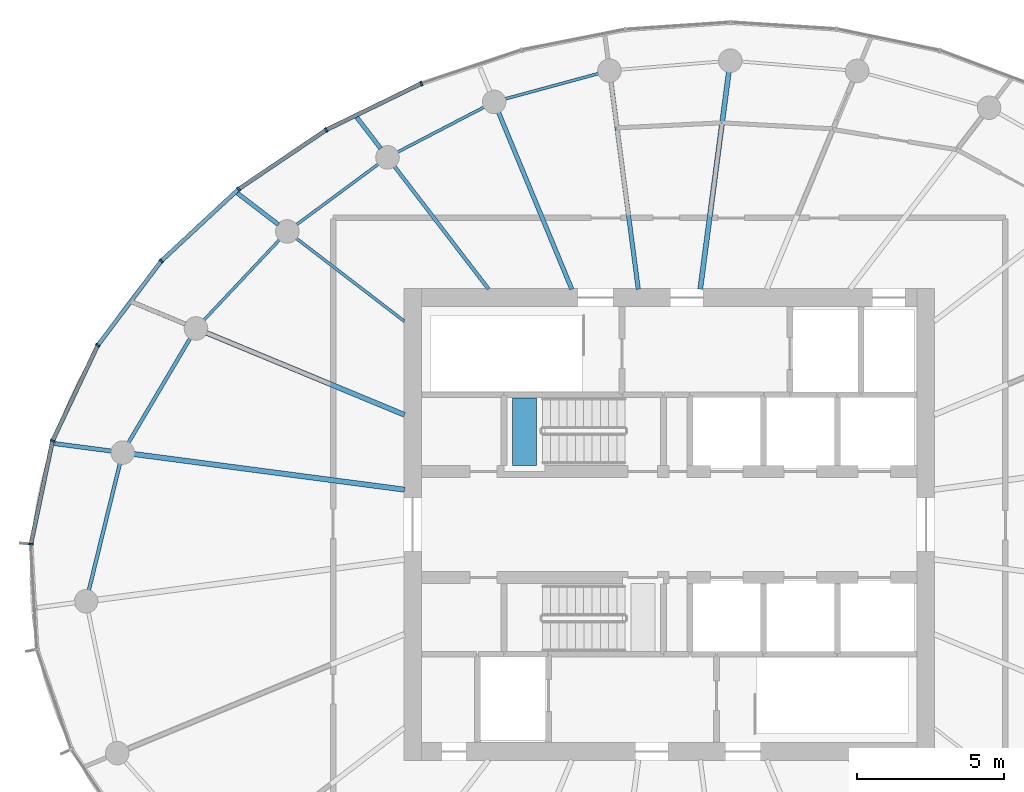
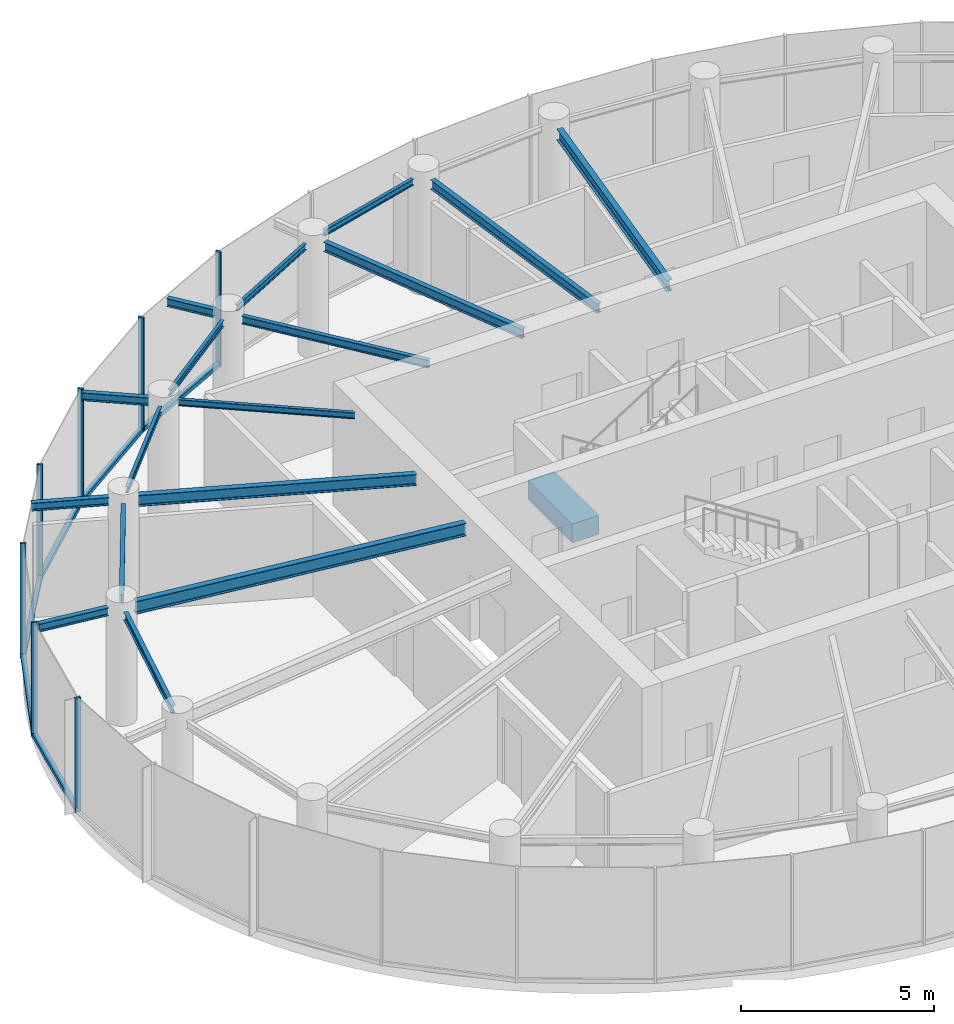
# One storey, part 4 of 13: 18 beams, 13 members, 2 elements without a shape of their own.
"""IFC4 building model written with IfcOpenShell, lengths in metres."""

from ifc_helpers import new_model, si_unit, direction, frame, origin, origin_2d, place, context, subcontext, project, spatial, rectangle, i_section, extrude, source, transform, mapped, material, layer, layer_set, material_profile, profile_set, type_object, element, aggregate, save


model = new_model("IFC4")

# Units and contexts
model_context = context("Model", 3, precision=1e-05, world=origin(), true_north=direction((0.0, 1.0)))
body_context = subcontext(model_context, "Body", "Model", "MODEL_VIEW")
ifc_project = project(units=[si_unit("LENGTHUNIT", "METRE"), si_unit("AREAUNIT", "SQUARE_METRE"), si_unit("VOLUMEUNIT", "CUBIC_METRE"), si_unit("PLANEANGLEUNIT", "RADIAN"), si_unit("MASSUNIT", "GRAM", prefix="KILO")], contexts=[model_context])

# Site, building, storey
site_placement = place(None, origin())
site = spatial("IfcSite", under=ifc_project, at=site_placement, CompositionType="ELEMENT")
building_placement = place(site_placement, origin())
building = spatial("IfcBuilding", under=site, at=building_placement, Name="Spindrift Exchange Tower", CompositionType="ELEMENT")
storey_placement = place(building_placement, frame((0.0, 0.0, 265.699951171875)))
storey = spatial("IfcBuildingStorey", under=building, at=storey_placement, Name="L65", CompositionType="ELEMENT", Elevation=265.699951171875)

# Beams
ifc_material_1 = material(Name="Steel Grade 300", Category="steel")
ifc_material_profile_1 = material_profile(ifc_material_1, i_section(OverallWidth=0.1708984375, OverallDepth=0.35205078125, WebThickness=0.0068359375, FlangeThickness=0.009765625, FilletRadius=0.013916015625, at=origin_2d()), Name="360UB44.7")
ifc_profile_set_1 = profile_set([ifc_material_profile_1], Name="Steel Grade 300")
beam_type_1 = type_object("IfcBeamType", Name="Floor Beam 360UB44.7 Steel Grade 300", PredefinedType="BEAM", material=ifc_profile_set_1)
shared_shape_1 = source(origin(), body_context, "Body", "SweptSolid", [
    extrude(i_section(OverallWidth=0.1708984375, OverallDepth=0.35205078125, WebThickness=0.0068359375, FlangeThickness=0.009765625, FilletRadius=0.013916015625, at=origin_2d()), origin(), (0.0, 0.0, 1.0), 7.43798828125),
])
beam_1_placement = place(storey_placement, frame((53.050537109375, 55.980224609375, 3.444091796875), z_axis=(0.130540269579, 0.991443007953, 0.0), x_axis=(-0.991443007953, 0.130540269579, 0.0)))
element("IfcBeam", 1, at=beam_1_placement, inside=storey, type_object=beam_type_1, Name="L65 radial beam R06A", PredefinedType="BEAM", context=body_context, shape_type="MappedRepresentation", body=[
    mapped(shared_shape_1, transform((0.0, 0.0, 0.0), scale=1.0)),
])
ifc_material_profile_2 = material_profile(ifc_material_1, i_section(OverallWidth=0.14892578125, OverallDepth=0.298095703125, WebThickness=0.005615234375, FlangeThickness=0.008056640625, FilletRadius=0.012939453125, at=origin_2d()), Name="310UB32.0")
ifc_profile_set_2 = profile_set([ifc_material_profile_2], Name="Steel Grade 300")
beam_type_2 = type_object("IfcBeamType", Name="Floor Beam 310UB32.0 Steel Grade 300", PredefinedType="BEAM", material=ifc_profile_set_2)
shared_shape_2 = source(origin(), body_context, "Body", "SweptSolid", [
    extrude(i_section(OverallWidth=0.14892578125, OverallDepth=0.298095703125, WebThickness=0.005615234375, FlangeThickness=0.008056640625, FilletRadius=0.012939453125, at=origin_2d()), origin(), (0.0, 0.0, 1.0), 7.099853515625),
])
beam_2_placement = place(storey_placement, frame((50.949462890625, 55.980224609375, 3.470947265625), z_axis=(-0.130532789835, 0.991443992759, 0.0), x_axis=(-0.991443992759, -0.130532789835, 0.0)))
element("IfcBeam", 2, at=beam_2_placement, inside=storey, type_object=beam_type_2, Name="L65 radial beam R07A", PredefinedType="BEAM", context=body_context, shape_type="MappedRepresentation", body=[
    mapped(shared_shape_2, transform((0.0, 0.0, 0.0), scale=1.0)),
])
shared_shape_3 = source(origin(), body_context, "Body", "SweptSolid", [
    extrude(i_section(OverallWidth=0.14892578125, OverallDepth=0.298095703125, WebThickness=0.005615234375, FlangeThickness=0.008056640625, FilletRadius=0.012939453125, at=origin_2d()), origin(), (0.0, 0.0, 1.0), 6.495849609375),
])
beam_3_placement = place(storey_placement, frame((48.69384765625, 55.9814453125, 3.470947265625), z_axis=(-0.382677087308, 0.923882160695, 0.0), x_axis=(-0.923882160695, -0.382677087308, 0.0)))
element("IfcBeam", 3, at=beam_3_placement, inside=storey, type_object=beam_type_2, Name="L65 radial beam R08A", PredefinedType="BEAM", context=body_context, shape_type="MappedRepresentation", body=[
    mapped(shared_shape_3, transform((0.0, 0.0, 0.0), scale=1.0)),
])
ifc_material_profile_3 = material_profile(ifc_material_1, i_section(OverallWidth=0.1240234375, OverallDepth=0.248046875, WebThickness=0.0048828125, FlangeThickness=0.008056640625, FilletRadius=0.011962890625, at=origin_2d()), Name="250UB25.7")
ifc_profile_set_3 = profile_set([ifc_material_profile_3], Name="Steel Grade 300")
beam_type_3 = type_object("IfcBeamType", Name="Floor Beam 250UB25.7 Steel Grade 300", PredefinedType="BEAM", material=ifc_profile_set_3)
shared_shape_4 = source(origin(), body_context, "Body", "SweptSolid", [
    extrude(i_section(OverallWidth=0.1240234375, OverallDepth=0.248046875, WebThickness=0.0048828125, FlangeThickness=0.008056640625, FilletRadius=0.011962890625, at=origin_2d()), origin(), (0.0, 0.0, 1.0), 5.25341796875),
])
beam_4_placement = place(storey_placement, frame((45.87353515625, 55.984130859375, 3.49609375), z_axis=(-0.608760287872, 0.793354215915, 0.0), x_axis=(-0.793354215915, -0.608760287872, 0.0)))
element("IfcBeam", 4, at=beam_4_placement, inside=storey, type_object=beam_type_3, Name="L65 radial beam R09A", PredefinedType="BEAM", context=body_context, shape_type="MappedRepresentation", body=[
    mapped(shared_shape_4, transform((0.0, 0.0, 0.0), scale=1.0)),
])
ifc_material_profile_4 = material_profile(ifc_material_1, i_section(OverallWidth=0.09912109375, OverallDepth=0.197998046875, WebThickness=0.00439453125, FlangeThickness=0.007080078125, FilletRadius=0.010986328125, at=origin_2d()), Name="200UB18.2")
ifc_profile_set_4 = profile_set([ifc_material_profile_4], Name="Steel Grade 300")
beam_type_4 = type_object("IfcBeamType", Name="Floor Beam 200UB18.2 Steel Grade 300", PredefinedType="BEAM", material=ifc_profile_set_4)
shared_shape_5 = source(origin(), body_context, "Body", "SweptSolid", [
    extrude(i_section(OverallWidth=0.09912109375, OverallDepth=0.197998046875, WebThickness=0.00439453125, FlangeThickness=0.007080078125, FilletRadius=0.010986328125, at=origin_2d()), origin(), (0.0, 0.0, 1.0), 4.622802734375),
])
beam_5_placement = place(storey_placement, frame((43.015869140625, 54.893798828125, 3.52099609375), z_axis=(-0.793347882225, 0.608768542033, 0.0), x_axis=(-0.608768542033, -0.793347882225, 0.0)))
element("IfcBeam", 5, at=beam_5_placement, inside=storey, type_object=beam_type_4, Name="L65 radial beam R10A", PredefinedType="BEAM", context=body_context, shape_type="MappedRepresentation", body=[
    mapped(shared_shape_5, transform((0.0, 0.0, 0.0), scale=1.0)),
])
shared_shape_6 = source(origin(), body_context, "Body", "SweptSolid", [
    extrude(i_section(OverallWidth=0.1708984375, OverallDepth=0.35205078125, WebThickness=0.0068359375, FlangeThickness=0.009765625, FilletRadius=0.013916015625, at=origin_2d()), origin(), (0.0, 0.0, 1.0), 7.272705078125),
])
beam_6_placement = place(storey_placement, frame((43.0185546875, 51.72021484375, 3.444091796875), z_axis=(-0.923874446092, 0.382695711836, 0.0), x_axis=(-0.382695711836, -0.923874446092, 0.0)))
element("IfcBeam", 6, at=beam_6_placement, inside=storey, type_object=beam_type_1, Name="L65 radial beam R11A", PredefinedType="BEAM", context=body_context, shape_type="MappedRepresentation", body=[
    mapped(shared_shape_6, transform((0.0, 0.0, 0.0), scale=1.0)),
])
ifc_material_profile_5 = material_profile(ifc_material_1, i_section(OverallWidth=0.177978515625, OverallDepth=0.403076171875, WebThickness=0.007568359375, FlangeThickness=0.010986328125, FilletRadius=0.013916015625, at=origin_2d()), Name="410UB53.7")
ifc_profile_set_5 = profile_set([ifc_material_profile_5], Name="Steel Grade 300")
beam_type_5 = type_object("IfcBeamType", Name="Floor Beam 410UB53.7 Steel Grade 300", PredefinedType="BEAM", material=ifc_profile_set_5)
shared_shape_7 = source(origin(), body_context, "Body", "SweptSolid", [
    extrude(i_section(OverallWidth=0.177978515625, OverallDepth=0.403076171875, WebThickness=0.007568359375, FlangeThickness=0.010986328125, FilletRadius=0.013916015625, at=origin_2d()), origin(), (0.0, 0.0, 1.0), 9.261962890625),
])
beam_7_placement = place(storey_placement, frame((43.019775390625, 49.182373046875, 3.41845703125), z_axis=(-0.991447744872, 0.130504288008, 0.0), x_axis=(-0.130504288008, -0.991447744872, 0.0)))
element("IfcBeam", 7, at=beam_7_placement, inside=storey, type_object=beam_type_5, Name="L65 radial beam R12A", PredefinedType="BEAM", context=body_context, shape_type="MappedRepresentation", body=[
    mapped(shared_shape_7, transform((0.0, 0.0, 0.0), scale=1.0)),
])
ifc_material_profile_6 = material_profile(ifc_material_1, i_section(OverallWidth=0.09912109375, OverallDepth=0.197998046875, WebThickness=0.00439453125, FlangeThickness=0.007080078125, FilletRadius=0.010986328125, at=origin_2d()), Name="200UB18.2")
ifc_profile_set_6 = profile_set([ifc_material_profile_6], Name="Steel Grade 300")
beam_type_6 = type_object("IfcBeamType", Name="Edge Beam 200UB18.2 Steel Grade 300", PredefinedType="SPANDREL", material=ifc_profile_set_6)
shared_shape_8 = source(origin(), body_context, "Body", "SweptSolid", [
    extrude(i_section(OverallWidth=0.09912109375, OverallDepth=0.197998046875, WebThickness=0.00439453125, FlangeThickness=0.007080078125, FilletRadius=0.010986328125, at=origin_2d()), origin(), (0.0, 0.0, 1.0), 3.2919921875),
])
beam_8_placement = place(storey_placement, frame((49.6064453125, 63.29638671875, 3.52099609375), z_axis=(-0.965045644564, -0.262081864896, 0.0), x_axis=(0.262081864896, -0.965045644564, 0.0)))
element("IfcBeam", 8, at=beam_8_placement, inside=storey, type_object=beam_type_6, Name="L65 edge beam E07", PredefinedType="SPANDREL", context=body_context, shape_type="MappedRepresentation", body=[
    mapped(shared_shape_8, transform((0.0, 0.0, 0.0), scale=1.0)),
])
shared_shape_9 = source(origin(), body_context, "Body", "SweptSolid", [
    extrude(i_section(OverallWidth=0.09912109375, OverallDepth=0.197998046875, WebThickness=0.00439453125, FlangeThickness=0.007080078125, FilletRadius=0.010986328125, at=origin_2d()), origin(), (0.0, 0.0, 1.0), 3.31787109375),
])
beam_9_placement = place(storey_placement, frame((45.7255859375, 62.15869140625, 3.52099609375), z_axis=(-0.887327612278, -0.46113957593, 0.0), x_axis=(0.46113957593, -0.887327612278, 0.0)))
element("IfcBeam", 9, at=beam_9_placement, inside=storey, type_object=beam_type_6, Name="L65 edge beam E08", PredefinedType="SPANDREL", context=body_context, shape_type="MappedRepresentation", body=[
    mapped(shared_shape_9, transform((0.0, 0.0, 0.0), scale=1.0)),
])
shared_shape_10 = source(origin(), body_context, "Body", "SweptSolid", [
    extrude(i_section(OverallWidth=0.09912109375, OverallDepth=0.197998046875, WebThickness=0.00439453125, FlangeThickness=0.007080078125, FilletRadius=0.010986328125, at=origin_2d()), origin(), (0.0, 0.0, 1.0), 3.466552734375),
])
beam_10_placement = place(storey_placement, frame((42.138916015625, 60.227294921875, 3.52099609375), z_axis=(-0.803854022168, -0.594826622676, 0.0), x_axis=(0.594826622676, -0.803854022168, 0.0)))
element("IfcBeam", 10, at=beam_10_placement, inside=storey, type_object=beam_type_6, Name="L65 edge beam E09", PredefinedType="SPANDREL", context=body_context, shape_type="MappedRepresentation", body=[
    mapped(shared_shape_10, transform((0.0, 0.0, 0.0), scale=1.0)),
])
shared_shape_11 = source(origin(), body_context, "Body", "SweptSolid", [
    extrude(i_section(OverallWidth=0.09912109375, OverallDepth=0.197998046875, WebThickness=0.00439453125, FlangeThickness=0.007080078125, FilletRadius=0.010986328125, at=origin_2d()), origin(), (0.0, 0.0, 1.0), 3.759765625),
])
beam_11_placement = place(storey_placement, frame((38.786376953125, 57.66259765625, 3.52099609375), z_axis=(-0.685520646854, -0.72805318675, 0.0), x_axis=(0.72805318675, -0.685520646854, 0.0)))
element("IfcBeam", 11, at=beam_11_placement, inside=storey, type_object=beam_type_6, Name="L65 edge beam E10", PredefinedType="SPANDREL", context=body_context, shape_type="MappedRepresentation", body=[
    mapped(shared_shape_11, transform((0.0, 0.0, 0.0), scale=1.0)),
])
ifc_material_profile_7 = material_profile(ifc_material_1, i_section(OverallWidth=0.1240234375, OverallDepth=0.248046875, WebThickness=0.0048828125, FlangeThickness=0.008056640625, FilletRadius=0.011962890625, at=origin_2d()), Name="250UB25.7")
ifc_profile_set_7 = profile_set([ifc_material_profile_7], Name="Steel Grade 300")
beam_type_7 = type_object("IfcBeamType", Name="Edge Beam 250UB25.7 Steel Grade 300", PredefinedType="SPANDREL", material=ifc_profile_set_7)
shared_shape_12 = source(origin(), body_context, "Body", "SweptSolid", [
    extrude(i_section(OverallWidth=0.1240234375, OverallDepth=0.248046875, WebThickness=0.0048828125, FlangeThickness=0.008056640625, FilletRadius=0.011962890625, at=origin_2d()), origin(), (0.0, 0.0, 1.0), 4.128662109375),
])
beam_12_placement = place(storey_placement, frame((35.755126953125, 54.321533203125, 3.49609375), z_axis=(-0.509067946458, -0.860726336235, 0.0), x_axis=(0.860726336235, -0.509067946458, 0.0)))
element("IfcBeam", 12, at=beam_12_placement, inside=storey, type_object=beam_type_7, Name="L65 edge beam E11", PredefinedType="SPANDREL", context=body_context, shape_type="MappedRepresentation", body=[
    mapped(shared_shape_12, transform((0.0, 0.0, 0.0), scale=1.0)),
])
shared_shape_13 = source(origin(), body_context, "Body", "SweptSolid", [
    extrude(i_section(OverallWidth=0.1240234375, OverallDepth=0.248046875, WebThickness=0.0048828125, FlangeThickness=0.008056640625, FilletRadius=0.011962890625, at=origin_2d()), origin(), (0.0, 0.0, 1.0), 4.43408203125),
])
beam_13_placement = place(storey_placement, frame((33.369384765625, 50.07177734375, 3.49609375), z_axis=(-0.238193109804, -0.971217814109, 0.0), x_axis=(0.971217814109, -0.238193109804, 0.0)))
element("IfcBeam", 13, at=beam_13_placement, inside=storey, type_object=beam_type_7, Name="L65 edge beam E12", PredefinedType="SPANDREL", context=body_context, shape_type="MappedRepresentation", body=[
    mapped(shared_shape_13, transform((0.0, 0.0, 0.0), scale=1.0)),
])
ifc_material_profile_8 = material_profile(ifc_material_1, i_section(OverallWidth=0.14599609375, OverallDepth=0.251953125, WebThickness=0.006103515625, FlangeThickness=0.008544921875, FilletRadius=0.011962890625, at=origin_2d()), Name="250UB31.4")
ifc_profile_set_8 = profile_set([ifc_material_profile_8], Name="Steel Grade 300")
beam_type_8 = type_object("IfcBeamType", Name="Cantilever Beam 250UB31.4 Steel Grade 300", PredefinedType="BEAM", material=ifc_profile_set_8)
shared_shape_14 = source(origin(), body_context, "Body", "SweptSolid", [
    extrude(i_section(OverallWidth=0.14599609375, OverallDepth=0.251953125, WebThickness=0.006103515625, FlangeThickness=0.008544921875, FilletRadius=0.011962890625, at=origin_2d()), origin(), (0.0, 0.0, 1.0), 1.327880859375),
])
beam_14_placement = place(storey_placement, frame((42.212890625, 60.754638671875, 3.494140625), z_axis=(-0.608759582862, 0.793354756886, 0.0), x_axis=(-0.793354756886, -0.608759582862, 0.0)))
element("IfcBeam", 14, at=beam_14_placement, inside=storey, type_object=beam_type_8, Name="L65 cantilever beam R09T", PredefinedType="BEAM", context=body_context, shape_type="MappedRepresentation", body=[
    mapped(shared_shape_14, transform((0.0, 0.0, 0.0), scale=1.0)),
])
shared_shape_15 = source(origin(), body_context, "Body", "SweptSolid", [
    extrude(i_section(OverallWidth=0.14599609375, OverallDepth=0.251953125, WebThickness=0.006103515625, FlangeThickness=0.008544921875, FilletRadius=0.011962890625, at=origin_2d()), origin(), (0.0, 0.0, 1.0), 1.7568359375),
])
beam_15_placement = place(storey_placement, frame((38.74560546875, 58.170654296875, 3.494140625), z_axis=(-0.793398292665, 0.608702841456, 0.0), x_axis=(-0.608702841456, -0.793398292665, 0.0)))
element("IfcBeam", 15, at=beam_15_placement, inside=storey, type_object=beam_type_8, Name="L65 cantilever beam R10T", PredefinedType="BEAM", context=body_context, shape_type="MappedRepresentation", body=[
    mapped(shared_shape_15, transform((0.0, 0.0, 0.0), scale=1.0)),
])
shared_shape_16 = source(origin(), body_context, "Body", "SweptSolid", [
    extrude(i_section(OverallWidth=0.14599609375, OverallDepth=0.251953125, WebThickness=0.006103515625, FlangeThickness=0.008544921875, FilletRadius=0.011962890625, at=origin_2d()), origin(), (0.0, 0.0, 1.0), 2.03515625),
])
beam_16_placement = place(storey_placement, frame((35.597412109375, 54.794189453125, 3.494140625), z_axis=(-0.923891104078, 0.382655494937, 0.0), x_axis=(-0.382655494937, -0.923891104078, 0.0)))
element("IfcBeam", 16, at=beam_16_placement, inside=storey, type_object=beam_type_8, Name="L65 cantilever beam R11T", PredefinedType="BEAM", context=body_context, shape_type="MappedRepresentation", body=[
    mapped(shared_shape_16, transform((0.0, 0.0, 0.0), scale=1.0)),
])
shared_shape_17 = source(origin(), body_context, "Body", "SweptSolid", [
    extrude(i_section(OverallWidth=0.14599609375, OverallDepth=0.251953125, WebThickness=0.006103515625, FlangeThickness=0.008544921875, FilletRadius=0.011962890625, at=origin_2d()), origin(), (0.0, 0.0, 1.0), 1.941162109375),
])
beam_17_placement = place(storey_placement, frame((33.083251953125, 50.490478515625, 3.494140625), z_axis=(-0.991441876762, 0.130548860596, 0.0), x_axis=(-0.130548860596, -0.991441876762, 0.0)))
element("IfcBeam", 17, at=beam_17_placement, inside=storey, type_object=beam_type_8, Name="L65 cantilever beam R12T", PredefinedType="BEAM", context=body_context, shape_type="MappedRepresentation", body=[
    mapped(shared_shape_17, transform((0.0, 0.0, 0.0), scale=1.0)),
])

# Curtain wall, member
ifc_material_2 = material(Name="Fritted laminated glass with bronze frame", Category="glass")
ifc_layer = layer(ifc_material_2, 0.159912109375)
ifc_layer_set = layer_set([ifc_layer], Name="ZONE 5 BRONZE FRITTED WALL")
curtain_wall_type = type_object("IfcCurtainWallType", Name="ZONE 5 BRONZE FRITTED WALL", PredefinedType="NOTDEFINED", material=ifc_layer_set)
curtain_wall_1_placement = place(storey_placement, origin())
curtain_wall_1 = element("IfcCurtainWall", 18, at=curtain_wall_1_placement, inside=storey, type_object=curtain_wall_type, Name="L65 Zone 5 Bronze Fritted Wall run 2", PredefinedType="NOTDEFINED")
ifc_material_3 = material(Name="Bronze anodised aluminium", Category="aluminium")
ifc_material_profile_9 = material_profile(ifc_material_3, rectangle(XDim=0.139892578125, YDim=0.1201171875, at=origin_2d()), Name="ZONE 5 BRONZE FRITTED WALL TRANSOM 140X120")
ifc_profile_set_9 = profile_set([ifc_material_profile_9], Name="Bronze anodised aluminium")
member_type_1 = type_object("IfcMemberType", Name="ZONE 5 BRONZE FRITTED WALL TRANSOM 140X120", PredefinedType="USERDEFINED", material=ifc_profile_set_9)
shared_shape_18 = source(origin(), body_context, "Body", "SweptSolid", [
    extrude(rectangle(XDim=0.139892578125, YDim=0.1201171875, at=origin_2d()), origin(), (0.0, 0.0, 1.0), 3.525390625),
])
member_1_placement = place(storey_placement, frame((40.343017578125, 61.368896484375, 0.06005859375), z_axis=(-0.828657553616, -0.559755892184, 0.0), x_axis=(0.559755892184, -0.828657553616, 0.0)))
member_1 = element("IfcMember", 19, at=member_1_placement, type_object=member_type_1, Name="L65 transom CW-5.12", ObjectType="TRANSOM", PredefinedType="USERDEFINED", context=body_context, shape_type="MappedRepresentation", body=[
    mapped(shared_shape_18, transform((0.0, 0.0, 0.0), scale=1.0)),
])

# Curtain wall, members
curtain_wall_2_placement = place(storey_placement, origin())
curtain_wall_2 = element("IfcCurtainWall", 20, at=curtain_wall_2_placement, inside=storey, type_object=curtain_wall_type, Name="L65 Zone 5 Bronze Fritted Wall run 3", PredefinedType="NOTDEFINED")
shared_shape_19 = source(origin(), body_context, "Body", "SweptSolid", [
    extrude(rectangle(XDim=0.139892578125, YDim=0.1201171875, at=origin_2d()), origin(), (0.0, 0.0, 1.0), 3.524658203125),
])
member_2_placement = place(storey_placement, frame((37.374755859375, 59.358154296875, 0.06005859375), z_axis=(-0.732336938056, -0.680942441883, 0.0), x_axis=(0.680942441883, -0.732336938056, 0.0)))
member_2 = element("IfcMember", 21, at=member_2_placement, type_object=member_type_1, Name="L65 transom CW-5.13", ObjectType="TRANSOM", PredefinedType="USERDEFINED", context=body_context, shape_type="MappedRepresentation", body=[
    mapped(shared_shape_19, transform((0.0, 0.0, 0.0), scale=1.0)),
])
shared_shape_20 = source(origin(), body_context, "Body", "SweptSolid", [
    extrude(rectangle(XDim=0.139892578125, YDim=0.1201171875, at=origin_2d()), origin(), (0.0, 0.0, 1.0), 3.521484375),
])
member_3_placement = place(storey_placement, frame((32.602294921875, 54.048583984375, 0.06005859375), z_axis=(-0.427752538252, -0.903895882289, 0.0), x_axis=(0.903895882289, -0.427752538252, 0.0)))
member_3 = element("IfcMember", 22, at=member_3_placement, type_object=member_type_1, Name="L65 transom CW-5.15", ObjectType="TRANSOM", PredefinedType="USERDEFINED", context=body_context, shape_type="MappedRepresentation", body=[
    mapped(shared_shape_20, transform((0.0, 0.0, 0.0), scale=1.0)),
])
shared_shape_21 = source(origin(), body_context, "Body", "SweptSolid", [
    extrude(rectangle(XDim=0.139892578125, YDim=0.1201171875, at=origin_2d()), origin(), (0.0, 0.0, 1.0), 3.519287109375),
])
member_4_placement = place(storey_placement, frame((31.0771484375, 50.808837890625, 0.06005859375), z_axis=(-0.204926523544, -0.978777359744, 0.0), x_axis=(0.978777359744, -0.204926523544, 0.0)))
member_4 = element("IfcMember", 23, at=member_4_placement, type_object=member_type_1, Name="L65 transom CW-5.16", ObjectType="TRANSOM", PredefinedType="USERDEFINED", context=body_context, shape_type="MappedRepresentation", body=[
    mapped(shared_shape_21, transform((0.0, 0.0, 0.0), scale=1.0)),
])

# Member
shared_shape_22 = source(origin(), body_context, "Body", "SweptSolid", [
    extrude(rectangle(XDim=0.139892578125, YDim=0.1201171875, at=origin_2d()), origin(), (0.0, 0.0, 1.0), 3.526123046875),
])
member_5_placement = place(storey_placement, frame((43.564208984375, 62.9443359375, 0.06005859375), z_axis=(-0.898841629931, -0.438273572444, 0.0), x_axis=(0.438273572444, -0.898841629931, 0.0)))
member_5 = element("IfcMember", 24, at=member_5_placement, type_object=member_type_1, Name="L65 transom CW-5.11", ObjectType="TRANSOM", PredefinedType="USERDEFINED", context=body_context, shape_type="MappedRepresentation", body=[
    mapped(shared_shape_22, transform((0.0, 0.0, 0.0), scale=1.0)),
])

shared_shape_23 = source(origin(), body_context, "Body", "SweptSolid", [
    extrude(rectangle(XDim=0.139892578125, YDim=0.1201171875, at=origin_2d()), origin(), (0.0, 0.0, 1.0), 3.5234375),
])
member_6_placement = place(storey_placement, frame((34.753662109375, 56.91357421875, 0.06005859375), z_axis=(-0.601794517174, -0.798650961997, 0.0), x_axis=(0.798650961997, -0.601794517174, 0.0)))
member_6 = element("IfcMember", 25, at=member_6_placement, type_object=member_type_1, Name="L65 transom CW-5.14", ObjectType="TRANSOM", PredefinedType="USERDEFINED", context=body_context, shape_type="MappedRepresentation", body=[
    mapped(shared_shape_23, transform((0.0, 0.0, 0.0), scale=1.0)),
])

ifc_material_profile_10 = material_profile(ifc_material_3, rectangle(XDim=0.06005859375, YDim=0.159912109375, at=origin_2d()), Name="ZONE 5 BRONZE FRITTED WALL MULLION 60X160")
ifc_profile_set_10 = profile_set([ifc_material_profile_10], Name="Bronze anodised aluminium")
member_type_2 = type_object("IfcMemberType", Name="ZONE 5 BRONZE FRITTED WALL MULLION 60X160", PredefinedType="MULLION", material=ifc_profile_set_10)
shared_shape_24 = source(origin(), body_context, "Body", "SweptSolid", [
    extrude(rectangle(XDim=0.06005859375, YDim=0.159912109375, at=origin_2d()), origin(), (0.0, 0.0, 1.0), 3.6201171875),
])
member_7_placement = place(storey_placement, frame((43.591064453125, 62.95751953125, 0.0), z_axis=(0.0, 0.0, 1.0), x_axis=(-0.925689623896, -0.378283914821, 0.0)))
member_7 = element("IfcMember", 26, at=member_7_placement, type_object=member_type_2, Name="L65 mullion CW-5.11", PredefinedType="MULLION", context=body_context, shape_type="MappedRepresentation", body=[
    mapped(shared_shape_24, transform((0.0, 0.0, 0.0), scale=1.0)),
])

member_8_placement = place(storey_placement, frame((40.367919921875, 61.3857421875, 0.0), z_axis=(0.0, 0.0, 1.0), x_axis=(-0.865873626868, -0.500262793235, 0.0)))
member_8 = element("IfcMember", 27, at=member_8_placement, type_object=member_type_2, Name="L65 mullion CW-5.12", PredefinedType="MULLION", context=body_context, shape_type="MappedRepresentation", body=[
    mapped(shared_shape_24, transform((0.0, 0.0, 0.0), scale=1.0)),
])

aggregate(curtain_wall_1, [member_7, member_5, member_8, member_1])

member_9_placement = place(storey_placement, frame((37.396728515625, 59.378662109375, 0.0), z_axis=(0.0, 0.0, 1.0), x_axis=(-0.782822029184, -0.622245667421, 0.0)))
member_9 = element("IfcMember", 28, at=member_9_placement, type_object=member_type_2, Name="L65 mullion CW-5.13", PredefinedType="MULLION", context=body_context, shape_type="MappedRepresentation", body=[
    mapped(shared_shape_24, transform((0.0, 0.0, 0.0), scale=1.0)),
])

member_10_placement = place(storey_placement, frame((34.771484375, 56.9375, 0.0), z_axis=(0.0, 0.0, 1.0), x_axis=(-0.669633129409, -0.74269204385, 0.0)))
member_10 = element("IfcMember", 29, at=member_10_placement, type_object=member_type_2, Name="L65 mullion CW-5.14", PredefinedType="MULLION", context=body_context, shape_type="MappedRepresentation", body=[
    mapped(shared_shape_24, transform((0.0, 0.0, 0.0), scale=1.0)),
])

member_11_placement = place(storey_placement, frame((32.615234375, 54.07568359375, 0.0), z_axis=(0.0, 0.0, 1.0), x_axis=(-0.517449074287, -0.855714003344, 0.0)))
member_11 = element("IfcMember", 30, at=member_11_placement, type_object=member_type_2, Name="L65 mullion CW-5.15", PredefinedType="MULLION", context=body_context, shape_type="MappedRepresentation", body=[
    mapped(shared_shape_24, transform((0.0, 0.0, 0.0), scale=1.0)),
])

member_12_placement = place(storey_placement, frame((31.083251953125, 50.83837890625, 0.0), z_axis=(0.0, 0.0, 1.0), x_axis=(-0.318534378504, -0.94791130899, 0.0)))
member_12 = element("IfcMember", 31, at=member_12_placement, type_object=member_type_2, Name="L65 mullion CW-5.16", PredefinedType="MULLION", context=body_context, shape_type="MappedRepresentation", body=[
    mapped(shared_shape_24, transform((0.0, 0.0, 0.0), scale=1.0)),
])

member_13_placement = place(storey_placement, frame((30.349853515625, 47.3349609375, 0.0), z_axis=(0.0, 0.0, 1.0), x_axis=(-0.074415823509, -0.997227298669, 0.0)))
member_13 = element("IfcMember", 32, at=member_13_placement, type_object=member_type_2, Name="L65 mullion CW-5.17", PredefinedType="MULLION", context=body_context, shape_type="MappedRepresentation", body=[
    mapped(shared_shape_24, transform((0.0, 0.0, 0.0), scale=1.0)),
])

aggregate(curtain_wall_2, [member_9, member_2, member_10, member_6, member_11, member_3, member_12, member_4, member_13])

# Beam
ifc_material_4 = material(Name="Concrete 40 MPa", Category="concrete")
ifc_material_profile_11 = material_profile(ifc_material_4, rectangle(XDim=0.800048828125, YDim=0.60009765625, at=origin_2d()), Name="RC 800x600")
ifc_profile_set_11 = profile_set([ifc_material_profile_11], Name="Concrete 40 MPa")
beam_type_9 = type_object("IfcBeamType", Name="RC Landing Beam 800x600 Concrete 40 MPa", PredefinedType="BEAM", material=ifc_profile_set_11)
shared_shape_25 = source(origin(), body_context, "Body", "SweptSolid", [
    extrude(rectangle(XDim=0.800048828125, YDim=0.60009765625, at=origin_2d()), origin(), (0.0, 0.0, 1.0), 2.299072265625),
])
beam_18_placement = place(storey_placement, frame((47.090087890625, 50.00048828125, 1.449951171875), z_axis=(0.0, 1.0, 0.0), x_axis=(-1.0, 0.0, 0.0)))
element("IfcBeam", 33, at=beam_18_placement, inside=storey, type_object=beam_type_9, Name="ST3 landing beam L65", PredefinedType="BEAM", context=body_context, shape_type="MappedRepresentation", body=[
    mapped(shared_shape_25, transform((0.0, 0.0, 0.0), scale=1.0)),
])

save(model, "model.ifc")
